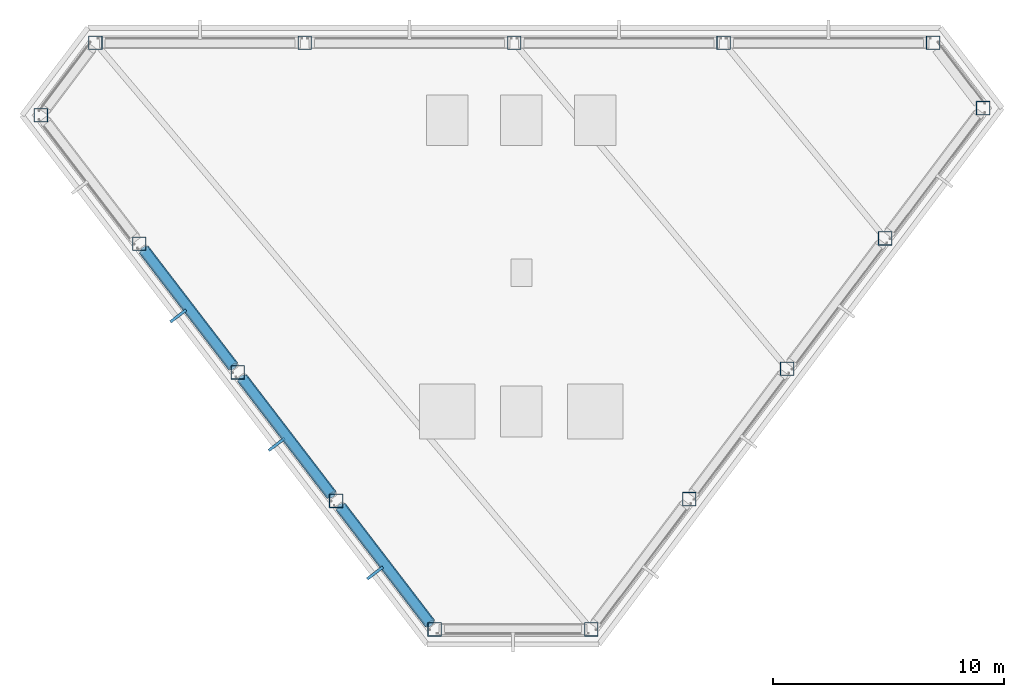
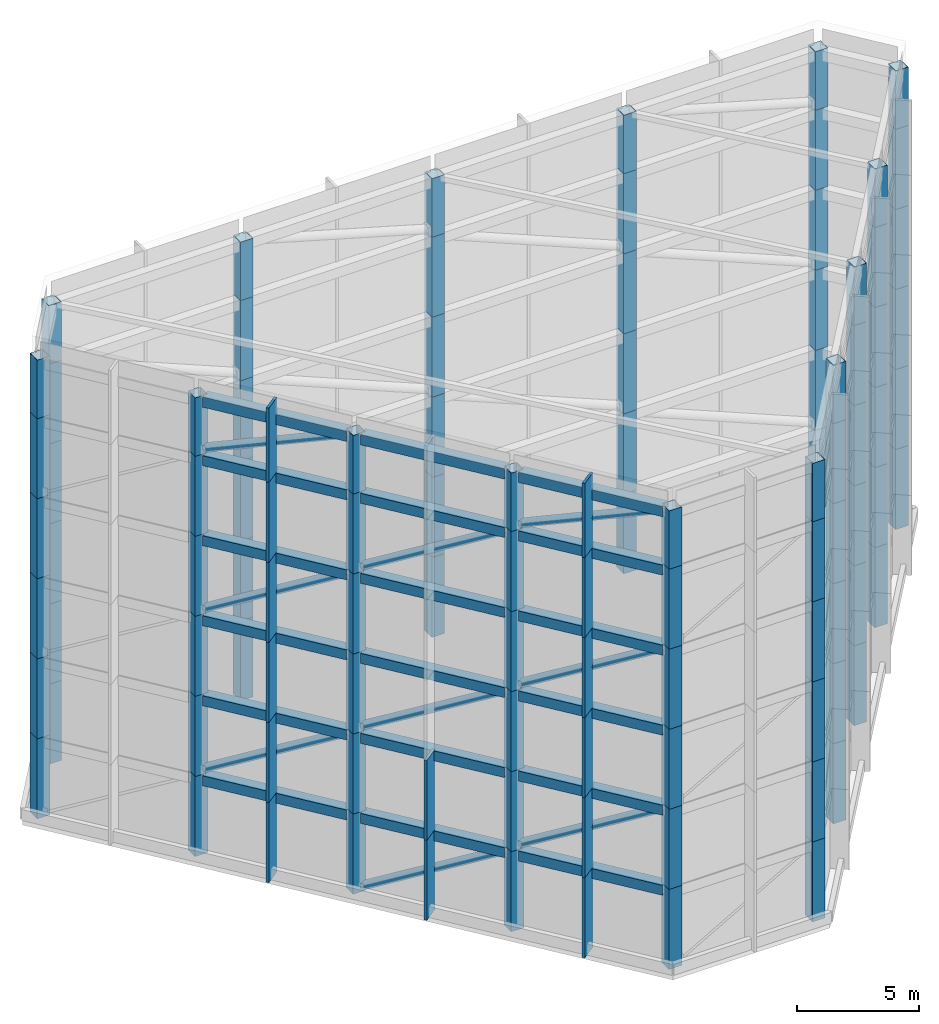
# One storey, part 1 of 6: 90 columns, 23 members, 18 beams, 1 element without a shape of its own.
"""IFC4 building model written with IfcOpenShell, lengths in metres."""

from ifc_helpers import new_model, si_unit, direction, frame, origin, origin_2d, place, context, subcontext, project, spatial, rectangle, hollow_rectangle, hollow_circle, extrude, material, layer, layer_set, material_profile, profile_set, type_object, element, aggregate, save


model = new_model("IFC4")

# Units and contexts
model_context = context("Model", 3, precision=1e-05, world=origin(), true_north=direction((0.0, 1.0)))
body_context = subcontext(model_context, "Body", "Model", "MODEL_VIEW")
ifc_project = project(units=[si_unit("LENGTHUNIT", "METRE"), si_unit("AREAUNIT", "SQUARE_METRE"), si_unit("VOLUMEUNIT", "CUBIC_METRE"), si_unit("PLANEANGLEUNIT", "RADIAN"), si_unit("MASSUNIT", "GRAM", prefix="KILO")], contexts=[model_context])

# Site, building, storey
site_placement = place(None, origin())
site = spatial("IfcSite", under=ifc_project, at=site_placement, CompositionType="ELEMENT")
building_placement = place(site_placement, origin())
building = spatial("IfcBuilding", under=site, at=building_placement, Name="Zarrinselat Tower", CompositionType="ELEMENT")
storey_placement = place(building_placement, frame((0.0, 0.0, 303.280029296875)))
storey = spatial("IfcBuildingStorey", under=building, at=storey_placement, Name="RF", CompositionType="ELEMENT", Elevation=303.280029296875)

# Columns
ifc_material_1 = material(Name="Steel S355J2", Category="steel")
ifc_material_profile_1 = material_profile(ifc_material_1, hollow_rectangle(XDim=0.60009765625, YDim=0.60009765625, WallThickness=0.030029296875, at=origin_2d()), Name="SHS 600x600x30")
ifc_profile_set_1 = profile_set([ifc_material_profile_1], Name="Steel S355J2")
column_type = type_object("IfcColumnType", Name="COL-CROWN-600", PredefinedType="COLUMN", material=ifc_profile_set_1)
for number, where, z_axis, x_axis, name in (
    (1, (56.2099609375, 46.75, 0.0), (0.0, 0.0, 1.0), (1.0, 0.0, 0.0), "RF CROWN FRAME Tier 1 Post P01"),
    (2, (47.150634765625, 46.75, 0.0), (0.0, 0.0, 1.0), (1.0, 0.0, 0.0), "RF CROWN FRAME Tier 1 Post P02"),
    (3, (38.09130859375, 46.75, 0.0), (0.0, 0.0, 1.0), (1.0, 0.0, 0.0), "RF CROWN FRAME Tier 1 Post P03"),
    (4, (29.031982421875, 46.75, 0.0), (0.0, 0.0, 1.0), (1.0, 0.0, 0.0), "RF CROWN FRAME Tier 1 Post P04"),
    (5, (19.97265625, 46.75, 0.0), (0.0, 0.0, 1.0), (1.0, 0.0, 0.0), "RF CROWN FRAME Tier 1 Post P05"),
    (6, (17.6162109375, 43.615234375, 0.0), (0.0, 0.0, 1.0), (1.0, 0.0, 0.0), "RF CROWN FRAME Tier 1 Post P06"),
    (7, (21.873291015625, 38.0546875, 0.0), (0.0, 0.0, 1.0), (1.0, 0.0, 0.0), "RF CROWN FRAME Tier 1 Post P07"),
    (8, (26.130615234375, 32.494384765625, 0.0), (0.0, 0.0, 1.0), (1.0, 0.0, 0.0), "RF CROWN FRAME Tier 1 Post P08"),
    (9, (30.3876953125, 26.933837890625, 0.0), (0.0, 0.0, 1.0), (1.0, 0.0, 0.0), "RF CROWN FRAME Tier 1 Post P09"),
    (10, (34.644775390625, 21.373291015625, 0.0), (0.0, 0.0, 1.0), (1.0, 0.0, 0.0), "RF CROWN FRAME Tier 1 Post P10"),
    (11, (41.423583984375, 21.373291015625, 0.0), (0.0, 0.0, 1.0), (1.0, 0.0, 0.0), "RF CROWN FRAME Tier 1 Post P11"),
    (12, (45.6611328125, 27.010986328125, 0.0), (0.0, 0.0, 1.0), (1.0, 0.0, 0.0), "RF CROWN FRAME Tier 1 Post P12"),
    (13, (49.898681640625, 32.6484375, 0.0), (0.0, 0.0, 1.0), (1.0, 0.0, 0.0), "RF CROWN FRAME Tier 1 Post P13"),
    (14, (54.13623046875, 38.2861328125, 0.0), (0.0, 0.0, 1.0), (1.0, 0.0, 0.0), "RF CROWN FRAME Tier 1 Post P14"),
    (15, (58.373779296875, 43.923583984375, 0.0), (0.0, 0.0, 1.0), (1.0, 0.0, 0.0), "RF CROWN FRAME Tier 1 Post P15"),
    (16, (56.2099609375, 46.75, 4.0), (0.0, 0.0, 1.0), (1.0, 0.0, 0.0), "RF CROWN FRAME Tier 2 Post P01"),
    (17, (47.150634765625, 46.75, 4.0), (0.0, 0.0, 1.0), (1.0, 0.0, 0.0), "RF CROWN FRAME Tier 2 Post P02"),
    (18, (38.09130859375, 46.75, 4.0), (0.0, 0.0, 1.0), (1.0, 0.0, 0.0), "RF CROWN FRAME Tier 2 Post P03"),
    (19, (29.031982421875, 46.75, 4.0), (0.0, 0.0, 1.0), (1.0, 0.0, 0.0), "RF CROWN FRAME Tier 2 Post P04"),
    (20, (19.97265625, 46.75, 4.0), (0.0, 0.0, 1.0), (1.0, 0.0, 0.0), "RF CROWN FRAME Tier 2 Post P05"),
    (21, (17.6162109375, 43.615234375, 4.0), (0.0, 0.0, 1.0), (1.0, 0.0, 0.0), "RF CROWN FRAME Tier 2 Post P06"),
    (22, (21.873291015625, 38.0546875, 4.0), (0.0, 0.0, 1.0), (1.0, 0.0, 0.0), "RF CROWN FRAME Tier 2 Post P07"),
    (23, (26.130615234375, 32.494384765625, 4.0), (0.0, 0.0, 1.0), (1.0, 0.0, 0.0), "RF CROWN FRAME Tier 2 Post P08"),
    (24, (30.3876953125, 26.933837890625, 4.0), (0.0, 0.0, 1.0), (1.0, 0.0, 0.0), "RF CROWN FRAME Tier 2 Post P09"),
    (25, (34.644775390625, 21.373291015625, 4.0), (0.0, 0.0, 1.0), (1.0, 0.0, 0.0), "RF CROWN FRAME Tier 2 Post P10"),
    (26, (41.423583984375, 21.373291015625, 4.0), (0.0, 0.0, 1.0), (1.0, 0.0, 0.0), "RF CROWN FRAME Tier 2 Post P11"),
    (27, (45.6611328125, 27.010986328125, 4.0), (0.0, 0.0, 1.0), (1.0, 0.0, 0.0), "RF CROWN FRAME Tier 2 Post P12"),
    (28, (49.898681640625, 32.6484375, 4.0), (0.0, 0.0, 1.0), (1.0, 0.0, 0.0), "RF CROWN FRAME Tier 2 Post P13"),
    (29, (54.13623046875, 38.2861328125, 4.0), (0.0, 0.0, 1.0), (1.0, 0.0, 0.0), "RF CROWN FRAME Tier 2 Post P14"),
    (30, (58.373779296875, 43.923583984375, 4.0), (0.0, 0.0, 1.0), (1.0, 0.0, 0.0), "RF CROWN FRAME Tier 2 Post P15"),
    (31, (56.2099609375, 46.75, 8.0), (0.0, 0.0, 1.0), (1.0, 0.0, 0.0), "RF CROWN FRAME Tier 3 Post P01"),
    (32, (47.150634765625, 46.75, 8.0), (0.0, 0.0, 1.0), (1.0, 0.0, 0.0), "RF CROWN FRAME Tier 3 Post P02"),
    (33, (38.09130859375, 46.75, 8.0), (0.0, 0.0, 1.0), (1.0, 0.0, 0.0), "RF CROWN FRAME Tier 3 Post P03"),
    (34, (29.031982421875, 46.75, 8.0), (0.0, 0.0, 1.0), (1.0, 0.0, 0.0), "RF CROWN FRAME Tier 3 Post P04"),
    (35, (19.97265625, 46.75, 8.0), (0.0, 0.0, 1.0), (1.0, 0.0, 0.0), "RF CROWN FRAME Tier 3 Post P05"),
    (36, (17.6162109375, 43.615234375, 8.0), (0.0, 0.0, 1.0), (1.0, 0.0, 0.0), "RF CROWN FRAME Tier 3 Post P06"),
    (37, (21.873291015625, 38.0546875, 8.0), (0.0, 0.0, 1.0), (1.0, 0.0, 0.0), "RF CROWN FRAME Tier 3 Post P07"),
    (38, (26.130615234375, 32.494384765625, 8.0), (0.0, 0.0, 1.0), (1.0, 0.0, 0.0), "RF CROWN FRAME Tier 3 Post P08"),
    (39, (30.3876953125, 26.933837890625, 8.0), (0.0, 0.0, 1.0), (1.0, 0.0, 0.0), "RF CROWN FRAME Tier 3 Post P09"),
    (40, (34.644775390625, 21.373291015625, 8.0), (0.0, 0.0, 1.0), (1.0, 0.0, 0.0), "RF CROWN FRAME Tier 3 Post P10"),
    (41, (41.423583984375, 21.373291015625, 8.0), (0.0, 0.0, 1.0), (1.0, 0.0, 0.0), "RF CROWN FRAME Tier 3 Post P11"),
    (42, (45.6611328125, 27.010986328125, 8.0), (0.0, 0.0, 1.0), (1.0, 0.0, 0.0), "RF CROWN FRAME Tier 3 Post P12"),
    (43, (49.898681640625, 32.6484375, 8.0), (0.0, 0.0, 1.0), (1.0, 0.0, 0.0), "RF CROWN FRAME Tier 3 Post P13"),
    (44, (54.13623046875, 38.2861328125, 8.0), (0.0, 0.0, 1.0), (1.0, 0.0, 0.0), "RF CROWN FRAME Tier 3 Post P14"),
    (45, (58.373779296875, 43.923583984375, 8.0), (0.0, 0.0, 1.0), (1.0, 0.0, 0.0), "RF CROWN FRAME Tier 3 Post P15"),
    (46, (56.2099609375, 46.75, 12.0), (0.0, 0.0, 1.0), (1.0, 0.0, 0.0), "RF CROWN FRAME Tier 4 Post P01"),
    (47, (47.150634765625, 46.75, 12.0), (0.0, 0.0, 1.0), (1.0, 0.0, 0.0), "RF CROWN FRAME Tier 4 Post P02"),
    (48, (38.09130859375, 46.75, 12.0), (0.0, 0.0, 1.0), (1.0, 0.0, 0.0), "RF CROWN FRAME Tier 4 Post P03"),
    (49, (29.031982421875, 46.75, 12.0), (0.0, 0.0, 1.0), (1.0, 0.0, 0.0), "RF CROWN FRAME Tier 4 Post P04"),
    (50, (19.97265625, 46.75, 12.0), (0.0, 0.0, 1.0), (1.0, 0.0, 0.0), "RF CROWN FRAME Tier 4 Post P05"),
    (51, (17.6162109375, 43.615234375, 12.0), (0.0, 0.0, 1.0), (1.0, 0.0, 0.0), "RF CROWN FRAME Tier 4 Post P06"),
    (52, (21.873291015625, 38.0546875, 12.0), (0.0, 0.0, 1.0), (1.0, 0.0, 0.0), "RF CROWN FRAME Tier 4 Post P07"),
    (53, (26.130615234375, 32.494384765625, 12.0), (0.0, 0.0, 1.0), (1.0, 0.0, 0.0), "RF CROWN FRAME Tier 4 Post P08"),
    (54, (30.3876953125, 26.933837890625, 12.0), (0.0, 0.0, 1.0), (1.0, 0.0, 0.0), "RF CROWN FRAME Tier 4 Post P09"),
    (55, (34.644775390625, 21.373291015625, 12.0), (0.0, 0.0, 1.0), (1.0, 0.0, 0.0), "RF CROWN FRAME Tier 4 Post P10"),
    (56, (41.423583984375, 21.373291015625, 12.0), (0.0, 0.0, 1.0), (1.0, 0.0, 0.0), "RF CROWN FRAME Tier 4 Post P11"),
    (57, (45.6611328125, 27.010986328125, 12.0), (0.0, 0.0, 1.0), (1.0, 0.0, 0.0), "RF CROWN FRAME Tier 4 Post P12"),
    (58, (49.898681640625, 32.6484375, 12.0), (0.0, 0.0, 1.0), (1.0, 0.0, 0.0), "RF CROWN FRAME Tier 4 Post P13"),
    (59, (54.13623046875, 38.2861328125, 12.0), (0.0, 0.0, 1.0), (1.0, 0.0, 0.0), "RF CROWN FRAME Tier 4 Post P14"),
    (60, (58.373779296875, 43.923583984375, 12.0), (0.0, 0.0, 1.0), (1.0, 0.0, 0.0), "RF CROWN FRAME Tier 4 Post P15"),
    (61, (56.2099609375, 46.75, 16.0), (0.0, 0.0, 1.0), (1.0, 0.0, 0.0), "RF CROWN FRAME Tier 5 Post P01"),
    (62, (47.150634765625, 46.75, 16.0), (0.0, 0.0, 1.0), (1.0, 0.0, 0.0), "RF CROWN FRAME Tier 5 Post P02"),
    (63, (38.09130859375, 46.75, 16.0), (0.0, 0.0, 1.0), (1.0, 0.0, 0.0), "RF CROWN FRAME Tier 5 Post P03"),
    (64, (29.031982421875, 46.75, 16.0), (0.0, 0.0, 1.0), (1.0, 0.0, 0.0), "RF CROWN FRAME Tier 5 Post P04"),
    (65, (19.97265625, 46.75, 16.0), (0.0, 0.0, 1.0), (1.0, 0.0, 0.0), "RF CROWN FRAME Tier 5 Post P05"),
    (66, (17.6162109375, 43.615234375, 16.0), (0.0, 0.0, 1.0), (1.0, 0.0, 0.0), "RF CROWN FRAME Tier 5 Post P06"),
    (67, (21.873291015625, 38.0546875, 16.0), (0.0, 0.0, 1.0), (1.0, 0.0, 0.0), "RF CROWN FRAME Tier 5 Post P07"),
    (68, (26.130615234375, 32.494384765625, 16.0), (0.0, 0.0, 1.0), (1.0, 0.0, 0.0), "RF CROWN FRAME Tier 5 Post P08"),
    (69, (30.3876953125, 26.933837890625, 16.0), (0.0, 0.0, 1.0), (1.0, 0.0, 0.0), "RF CROWN FRAME Tier 5 Post P09"),
    (70, (34.644775390625, 21.373291015625, 16.0), (0.0, 0.0, 1.0), (1.0, 0.0, 0.0), "RF CROWN FRAME Tier 5 Post P10"),
    (71, (41.423583984375, 21.373291015625, 16.0), (0.0, 0.0, 1.0), (1.0, 0.0, 0.0), "RF CROWN FRAME Tier 5 Post P11"),
    (72, (45.6611328125, 27.010986328125, 16.0), (0.0, 0.0, 1.0), (1.0, 0.0, 0.0), "RF CROWN FRAME Tier 5 Post P12"),
    (73, (49.898681640625, 32.6484375, 16.0), (0.0, 0.0, 1.0), (1.0, 0.0, 0.0), "RF CROWN FRAME Tier 5 Post P13"),
    (74, (54.13623046875, 38.2861328125, 16.0), (0.0, 0.0, 1.0), (1.0, 0.0, 0.0), "RF CROWN FRAME Tier 5 Post P14"),
    (75, (58.373779296875, 43.923583984375, 16.0), (0.0, 0.0, 1.0), (1.0, 0.0, 0.0), "RF CROWN FRAME Tier 5 Post P15"),
):
    element("IfcColumn", number, at=place(storey_placement, frame(where, z_axis=z_axis, x_axis=x_axis)), inside=storey, type_object=column_type, Name=name, PredefinedType="COLUMN", context=body_context, shape_type="SweptSolid", body=[
        extrude(hollow_rectangle(XDim=0.60009765625, YDim=0.60009765625, WallThickness=0.030029296875, at=origin_2d()), origin(), (0.0, 0.0, 1.0), 4.0),
    ])
for number, where, z_axis, x_axis, name in (
    (76, (56.2099609375, 46.75, 20.0), (0.0, 0.0, 1.0), (1.0, 0.0, 0.0), "RF CROWN FRAME Tier 6 Post P01"),
    (77, (47.150634765625, 46.75, 20.0), (0.0, 0.0, 1.0), (1.0, 0.0, 0.0), "RF CROWN FRAME Tier 6 Post P02"),
    (78, (38.09130859375, 46.75, 20.0), (0.0, 0.0, 1.0), (1.0, 0.0, 0.0), "RF CROWN FRAME Tier 6 Post P03"),
    (79, (29.031982421875, 46.75, 20.0), (0.0, 0.0, 1.0), (1.0, 0.0, 0.0), "RF CROWN FRAME Tier 6 Post P04"),
    (80, (19.97265625, 46.75, 20.0), (0.0, 0.0, 1.0), (1.0, 0.0, 0.0), "RF CROWN FRAME Tier 6 Post P05"),
    (81, (17.6162109375, 43.615234375, 20.0), (0.0, 0.0, 1.0), (1.0, 0.0, 0.0), "RF CROWN FRAME Tier 6 Post P06"),
    (82, (21.873291015625, 38.0546875, 20.0), (0.0, 0.0, 1.0), (1.0, 0.0, 0.0), "RF CROWN FRAME Tier 6 Post P07"),
    (83, (26.130615234375, 32.494384765625, 20.0), (0.0, 0.0, 1.0), (1.0, 0.0, 0.0), "RF CROWN FRAME Tier 6 Post P08"),
    (84, (30.3876953125, 26.933837890625, 20.0), (0.0, 0.0, 1.0), (1.0, 0.0, 0.0), "RF CROWN FRAME Tier 6 Post P09"),
    (85, (34.644775390625, 21.373291015625, 20.0), (0.0, 0.0, 1.0), (1.0, 0.0, 0.0), "RF CROWN FRAME Tier 6 Post P10"),
    (86, (41.423583984375, 21.373291015625, 20.0), (0.0, 0.0, 1.0), (1.0, 0.0, 0.0), "RF CROWN FRAME Tier 6 Post P11"),
    (87, (45.6611328125, 27.010986328125, 20.0), (0.0, 0.0, 1.0), (1.0, 0.0, 0.0), "RF CROWN FRAME Tier 6 Post P12"),
    (88, (49.898681640625, 32.6484375, 20.0), (0.0, 0.0, 1.0), (1.0, 0.0, 0.0), "RF CROWN FRAME Tier 6 Post P13"),
    (89, (54.13623046875, 38.2861328125, 20.0), (0.0, 0.0, 1.0), (1.0, 0.0, 0.0), "RF CROWN FRAME Tier 6 Post P14"),
    (90, (58.373779296875, 43.923583984375, 20.0), (0.0, 0.0, 1.0), (1.0, 0.0, 0.0), "RF CROWN FRAME Tier 6 Post P15"),
):
    element("IfcColumn", number, at=place(storey_placement, frame(where, z_axis=z_axis, x_axis=x_axis)), inside=storey, type_object=column_type, Name=name, PredefinedType="COLUMN", context=body_context, shape_type="SweptSolid", body=[
        extrude(hollow_rectangle(XDim=0.60009765625, YDim=0.60009765625, WallThickness=0.030029296875, at=origin_2d()), origin(), (0.0, 0.0, 1.0), 2.919921875),
    ])

# Beams
ifc_material_2 = material(Name="Steel S355J2", Category="steel")
ifc_material_profile_2 = material_profile(ifc_material_2, hollow_rectangle(XDim=0.5, YDim=0.5, WallThickness=0.02490234375, at=origin_2d()), Name="SHS 500x500x25")
ifc_profile_set_2 = profile_set([ifc_material_profile_2], Name="Steel S355J2")
beam_type = type_object("IfcBeamType", Name="BM-CROWN-RING", PredefinedType="BEAM", material=ifc_profile_set_2)
beam_1_placement = place(storey_placement, frame((22.06298828125, 37.806884765625, 3.75), z_axis=(0.607918796902, -0.793999204265, 0.0), x_axis=(0.793999204265, 0.607918796902, 0.0)))
element("IfcBeam", 91, at=beam_1_placement, inside=storey, type_object=beam_type, Name="RF CROWN FRAME Tier 1 Ring Beam R07", PredefinedType="BEAM", context=body_context, shape_type="SweptSolid", body=[
    extrude(hollow_rectangle(XDim=0.5, YDim=0.5, WallThickness=0.02490234375, at=origin_2d()), origin(), (0.0, 0.0, 1.0), 6.37890625),
])
beam_2_placement = place(storey_placement, frame((26.3203125, 32.24658203125, 3.75), z_axis=(0.607876194489, -0.79403182063, 0.0), x_axis=(0.79403182063, 0.607876194489, 0.0)))
element("IfcBeam", 92, at=beam_2_placement, inside=storey, type_object=beam_type, Name="RF CROWN FRAME Tier 1 Ring Beam R08", PredefinedType="BEAM", context=body_context, shape_type="SweptSolid", body=[
    extrude(hollow_rectangle(XDim=0.5, YDim=0.5, WallThickness=0.02490234375, at=origin_2d()), origin(), (0.0, 0.0, 1.0), 6.379150390625),
])
for number, where, z_axis, x_axis, name in (
    (93, (30.577392578125, 26.68603515625, 3.75), (0.60789466781, -0.794017677919, 0.0), (0.794017677919, 0.60789466781, 0.0), "RF CROWN FRAME Tier 1 Ring Beam R09"),
    (94, (22.06298828125, 37.806884765625, 7.75), (0.607918796902, -0.793999204265, 0.0), (0.793999204265, 0.607918796902, 0.0), "RF CROWN FRAME Tier 2 Ring Beam R07"),
):
    element("IfcBeam", number, at=place(storey_placement, frame(where, z_axis=z_axis, x_axis=x_axis)), inside=storey, type_object=beam_type, Name=name, PredefinedType="BEAM", context=body_context, shape_type="SweptSolid", body=[
        extrude(hollow_rectangle(XDim=0.5, YDim=0.5, WallThickness=0.02490234375, at=origin_2d()), origin(), (0.0, 0.0, 1.0), 6.37890625),
    ])
beam_3_placement = place(storey_placement, frame((26.3203125, 32.24658203125, 7.75), z_axis=(0.607876194489, -0.79403182063, 0.0), x_axis=(0.79403182063, 0.607876194489, 0.0)))
element("IfcBeam", 95, at=beam_3_placement, inside=storey, type_object=beam_type, Name="RF CROWN FRAME Tier 2 Ring Beam R08", PredefinedType="BEAM", context=body_context, shape_type="SweptSolid", body=[
    extrude(hollow_rectangle(XDim=0.5, YDim=0.5, WallThickness=0.02490234375, at=origin_2d()), origin(), (0.0, 0.0, 1.0), 6.379150390625),
])
for number, where, z_axis, x_axis, name in (
    (96, (30.577392578125, 26.68603515625, 7.75), (0.60789466781, -0.794017677919, 0.0), (0.794017677919, 0.60789466781, 0.0), "RF CROWN FRAME Tier 2 Ring Beam R09"),
    (97, (22.06298828125, 37.806884765625, 11.75), (0.607918796902, -0.793999204265, 0.0), (0.793999204265, 0.607918796902, 0.0), "RF CROWN FRAME Tier 3 Ring Beam R07"),
):
    element("IfcBeam", number, at=place(storey_placement, frame(where, z_axis=z_axis, x_axis=x_axis)), inside=storey, type_object=beam_type, Name=name, PredefinedType="BEAM", context=body_context, shape_type="SweptSolid", body=[
        extrude(hollow_rectangle(XDim=0.5, YDim=0.5, WallThickness=0.02490234375, at=origin_2d()), origin(), (0.0, 0.0, 1.0), 6.37890625),
    ])
beam_4_placement = place(storey_placement, frame((26.3203125, 32.24658203125, 11.75), z_axis=(0.607876194489, -0.79403182063, 0.0), x_axis=(0.79403182063, 0.607876194489, 0.0)))
element("IfcBeam", 98, at=beam_4_placement, inside=storey, type_object=beam_type, Name="RF CROWN FRAME Tier 3 Ring Beam R08", PredefinedType="BEAM", context=body_context, shape_type="SweptSolid", body=[
    extrude(hollow_rectangle(XDim=0.5, YDim=0.5, WallThickness=0.02490234375, at=origin_2d()), origin(), (0.0, 0.0, 1.0), 6.379150390625),
])
for number, where, z_axis, x_axis, name in (
    (99, (30.577392578125, 26.68603515625, 11.75), (0.60789466781, -0.794017677919, 0.0), (0.794017677919, 0.60789466781, 0.0), "RF CROWN FRAME Tier 3 Ring Beam R09"),
    (100, (22.06298828125, 37.806884765625, 15.75), (0.607918796902, -0.793999204265, 0.0), (0.793999204265, 0.607918796902, 0.0), "RF CROWN FRAME Tier 4 Ring Beam R07"),
):
    element("IfcBeam", number, at=place(storey_placement, frame(where, z_axis=z_axis, x_axis=x_axis)), inside=storey, type_object=beam_type, Name=name, PredefinedType="BEAM", context=body_context, shape_type="SweptSolid", body=[
        extrude(hollow_rectangle(XDim=0.5, YDim=0.5, WallThickness=0.02490234375, at=origin_2d()), origin(), (0.0, 0.0, 1.0), 6.37890625),
    ])
beam_5_placement = place(storey_placement, frame((26.3203125, 32.24658203125, 15.75), z_axis=(0.607876194489, -0.79403182063, 0.0), x_axis=(0.79403182063, 0.607876194489, 0.0)))
element("IfcBeam", 101, at=beam_5_placement, inside=storey, type_object=beam_type, Name="RF CROWN FRAME Tier 4 Ring Beam R08", PredefinedType="BEAM", context=body_context, shape_type="SweptSolid", body=[
    extrude(hollow_rectangle(XDim=0.5, YDim=0.5, WallThickness=0.02490234375, at=origin_2d()), origin(), (0.0, 0.0, 1.0), 6.379150390625),
])
for number, where, z_axis, x_axis, name in (
    (102, (30.577392578125, 26.68603515625, 15.75), (0.60789466781, -0.794017677919, 0.0), (0.794017677919, 0.60789466781, 0.0), "RF CROWN FRAME Tier 4 Ring Beam R09"),
    (103, (22.06298828125, 37.806884765625, 19.75), (0.607918796902, -0.793999204265, 0.0), (0.793999204265, 0.607918796902, 0.0), "RF CROWN FRAME Tier 5 Ring Beam R07"),
):
    element("IfcBeam", number, at=place(storey_placement, frame(where, z_axis=z_axis, x_axis=x_axis)), inside=storey, type_object=beam_type, Name=name, PredefinedType="BEAM", context=body_context, shape_type="SweptSolid", body=[
        extrude(hollow_rectangle(XDim=0.5, YDim=0.5, WallThickness=0.02490234375, at=origin_2d()), origin(), (0.0, 0.0, 1.0), 6.37890625),
    ])
beam_6_placement = place(storey_placement, frame((26.3203125, 32.24658203125, 19.75), z_axis=(0.607876194489, -0.79403182063, 0.0), x_axis=(0.79403182063, 0.607876194489, 0.0)))
element("IfcBeam", 104, at=beam_6_placement, inside=storey, type_object=beam_type, Name="RF CROWN FRAME Tier 5 Ring Beam R08", PredefinedType="BEAM", context=body_context, shape_type="SweptSolid", body=[
    extrude(hollow_rectangle(XDim=0.5, YDim=0.5, WallThickness=0.02490234375, at=origin_2d()), origin(), (0.0, 0.0, 1.0), 6.379150390625),
])
for number, where, z_axis, x_axis, name in (
    (105, (30.577392578125, 26.68603515625, 19.75), (0.60789466781, -0.794017677919, 0.0), (0.794017677919, 0.60789466781, 0.0), "RF CROWN FRAME Tier 5 Ring Beam R09"),
    (106, (22.06298828125, 37.806884765625, 22.669921875), (0.607918796902, -0.793999204265, 0.0), (0.793999204265, 0.607918796902, 0.0), "RF CROWN FRAME Tier 6 Ring Beam R07"),
):
    element("IfcBeam", number, at=place(storey_placement, frame(where, z_axis=z_axis, x_axis=x_axis)), inside=storey, type_object=beam_type, Name=name, PredefinedType="BEAM", context=body_context, shape_type="SweptSolid", body=[
        extrude(hollow_rectangle(XDim=0.5, YDim=0.5, WallThickness=0.02490234375, at=origin_2d()), origin(), (0.0, 0.0, 1.0), 6.37890625),
    ])
beam_7_placement = place(storey_placement, frame((26.3203125, 32.24658203125, 22.669921875), z_axis=(0.607876194489, -0.79403182063, 0.0), x_axis=(0.79403182063, 0.607876194489, 0.0)))
element("IfcBeam", 107, at=beam_7_placement, inside=storey, type_object=beam_type, Name="RF CROWN FRAME Tier 6 Ring Beam R08", PredefinedType="BEAM", context=body_context, shape_type="SweptSolid", body=[
    extrude(hollow_rectangle(XDim=0.5, YDim=0.5, WallThickness=0.02490234375, at=origin_2d()), origin(), (0.0, 0.0, 1.0), 6.379150390625),
])
beam_8_placement = place(storey_placement, frame((30.577392578125, 26.68603515625, 22.669921875), z_axis=(0.60789466781, -0.794017677919, 0.0), x_axis=(0.794017677919, 0.60789466781, 0.0)))
element("IfcBeam", 108, at=beam_8_placement, inside=storey, type_object=beam_type, Name="RF CROWN FRAME Tier 6 Ring Beam R09", PredefinedType="BEAM", context=body_context, shape_type="SweptSolid", body=[
    extrude(hollow_rectangle(XDim=0.5, YDim=0.5, WallThickness=0.02490234375, at=origin_2d()), origin(), (0.0, 0.0, 1.0), 6.37890625),
])

# Members
ifc_material_3 = material(Name="Steel S355J2", Category="steel")
ifc_material_profile_3 = material_profile(ifc_material_3, hollow_circle(Radius=0.203125, WallThickness=0.01611328125, at=origin_2d()), Name="CHS 406.4x16")
ifc_profile_set_3 = profile_set([ifc_material_profile_3], Name="Steel S355J2")
member_type_1 = type_object("IfcMemberType", Name="MEM-CROWN-BRACE", PredefinedType="BRACE", material=ifc_profile_set_3)
for number, where, z_axis, x_axis, name in (
    (109, (26.3203125, 32.24658203125, 0.25), (0.532929990731, -0.696134138242, 0.481022750558), (0.79403182063, 0.607876194489, 0.0), "RF CROWN FRAME Tier 1 Diagonal Brace B08"),
    (110, (22.06298828125, 37.806884765625, 4.25), (0.532966462183, -0.696104395899, 0.481025384151), (0.793999204265, 0.607918796902, 0.0), "RF CROWN FRAME Tier 2 Diagonal Brace B07"),
):
    element("IfcMember", number, at=place(storey_placement, frame(where, z_axis=z_axis, x_axis=x_axis)), inside=storey, type_object=member_type_1, Name=name, PredefinedType="BRACE", context=body_context, shape_type="SweptSolid", body=[
        extrude(hollow_circle(Radius=0.203125, WallThickness=0.01611328125, at=origin_2d()), origin(), (0.0, 0.0, 1.0), 7.276123046875),
    ])
member_1_placement = place(storey_placement, frame((30.577392578125, 26.68603515625, 4.25), z_axis=(0.532942438899, -0.696116844262, 0.481033986279), x_axis=(0.794017677919, 0.60789466781, 0.0)))
element("IfcMember", 111, at=member_1_placement, inside=storey, type_object=member_type_1, Name="RF CROWN FRAME Tier 2 Diagonal Brace B09", PredefinedType="BRACE", context=body_context, shape_type="SweptSolid", body=[
    extrude(hollow_circle(Radius=0.203125, WallThickness=0.01611328125, at=origin_2d()), origin(), (0.0, 0.0, 1.0), 7.27587890625),
])
for number, where, z_axis, x_axis, name in (
    (112, (26.3203125, 32.24658203125, 8.25), (0.532929990731, -0.696134138242, 0.481022750558), (0.79403182063, 0.607876194489, 0.0), "RF CROWN FRAME Tier 3 Diagonal Brace B08"),
    (113, (22.06298828125, 37.806884765625, 12.25), (0.532966462183, -0.696104395899, 0.481025384151), (0.793999204265, 0.607918796902, 0.0), "RF CROWN FRAME Tier 4 Diagonal Brace B07"),
):
    element("IfcMember", number, at=place(storey_placement, frame(where, z_axis=z_axis, x_axis=x_axis)), inside=storey, type_object=member_type_1, Name=name, PredefinedType="BRACE", context=body_context, shape_type="SweptSolid", body=[
        extrude(hollow_circle(Radius=0.203125, WallThickness=0.01611328125, at=origin_2d()), origin(), (0.0, 0.0, 1.0), 7.276123046875),
    ])
member_2_placement = place(storey_placement, frame((30.577392578125, 26.68603515625, 12.25), z_axis=(0.532942438899, -0.696116844262, 0.481033986279), x_axis=(0.794017677919, 0.60789466781, 0.0)))
element("IfcMember", 114, at=member_2_placement, inside=storey, type_object=member_type_1, Name="RF CROWN FRAME Tier 4 Diagonal Brace B09", PredefinedType="BRACE", context=body_context, shape_type="SweptSolid", body=[
    extrude(hollow_circle(Radius=0.203125, WallThickness=0.01611328125, at=origin_2d()), origin(), (0.0, 0.0, 1.0), 7.27587890625),
])
member_3_placement = place(storey_placement, frame((26.3203125, 32.24658203125, 16.25), z_axis=(0.532929990731, -0.696134138242, 0.481022750558), x_axis=(0.79403182063, 0.607876194489, 0.0)))
element("IfcMember", 115, at=member_3_placement, inside=storey, type_object=member_type_1, Name="RF CROWN FRAME Tier 5 Diagonal Brace B08", PredefinedType="BRACE", context=body_context, shape_type="SweptSolid", body=[
    extrude(hollow_circle(Radius=0.203125, WallThickness=0.01611328125, at=origin_2d()), origin(), (0.0, 0.0, 1.0), 7.276123046875),
])
for number, where, z_axis, x_axis, name in (
    (116, (22.06298828125, 37.806884765625, 20.25), (0.568393960894, -0.742376045877, 0.354691572676), (0.793999204265, 0.607918796902, 0.0), "RF CROWN FRAME Tier 6 Diagonal Brace B07"),
    (117, (30.577392578125, 26.68603515625, 20.25), (0.568369736914, -0.742391145377, 0.354698786897), (0.794017677919, 0.60789466781, 0.0), "RF CROWN FRAME Tier 6 Diagonal Brace B09"),
):
    element("IfcMember", number, at=place(storey_placement, frame(where, z_axis=z_axis, x_axis=x_axis)), inside=storey, type_object=member_type_1, Name=name, PredefinedType="BRACE", context=body_context, shape_type="SweptSolid", body=[
        extrude(hollow_circle(Radius=0.203125, WallThickness=0.01611328125, at=origin_2d()), origin(), (0.0, 0.0, 1.0), 6.822509765625),
    ])

# Curtain wall, members
ifc_material_4 = material(Name="Extruded Aluminium Alloy EN AW-6063 T6", Category="aluminium")
ifc_layer = layer(ifc_material_4, 0.199951171875)
ifc_layer_set = layer_set([ifc_layer], Name="Extruded Aluminium Alloy EN AW-6063 T6")
curtain_wall_type = type_object("IfcCurtainWallType", Name="CWS-BLADE", PredefinedType="NOTDEFINED", material=ifc_layer_set)
curtain_wall_placement = place(storey_placement, origin())
curtain_wall = element("IfcCurtainWall", 118, at=curtain_wall_placement, inside=storey, type_object=curtain_wall_type, Name="RF Crown Fin Assembly", PredefinedType="NOTDEFINED")
ifc_material_5 = material(Name="Honed Cream Travertine Stone", Category="masonry")
ifc_material_profile_4 = material_profile(ifc_material_5, rectangle(XDim=0.1201171875, YDim=0.85009765625, at=origin_2d()), Name="FIN 850x120")
ifc_profile_set_4 = profile_set([ifc_material_profile_4], Name="Honed Cream Travertine Stone")
member_type_2 = type_object("IfcMemberType", Name="MEM-STONE-FIN", PredefinedType="USERDEFINED", material=ifc_profile_set_4)
member_4_placement = place(storey_placement, frame((23.557373046875, 34.93408203125, 0.0), z_axis=(0.0, 0.0, 1.0), x_axis=(-0.607903188082, 0.794011154783, 0.0)))
member_4 = element("IfcMember", 119, at=member_4_placement, type_object=member_type_2, Name="RF CROWN FIN Stone Blade T1-B07", ObjectType="FIN", PredefinedType="USERDEFINED", context=body_context, shape_type="SweptSolid", body=[
    extrude(rectangle(XDim=0.1201171875, YDim=0.85009765625, at=origin_2d()), origin(), (0.0, 0.0, 1.0), 4.0),
])
member_5_placement = place(storey_placement, frame((27.814453125, 29.37353515625, 0.0), z_axis=(0.0, 0.0, 1.0), x_axis=(-0.607896295562, 0.79401643172, 0.0)))
member_5 = element("IfcMember", 120, at=member_5_placement, type_object=member_type_2, Name="RF CROWN FIN Stone Blade T1-B08", ObjectType="FIN", PredefinedType="USERDEFINED", context=body_context, shape_type="SweptSolid", body=[
    extrude(rectangle(XDim=0.1201171875, YDim=0.85009765625, at=origin_2d()), origin(), (0.0, 0.0, 1.0), 4.0),
])
member_6_placement = place(storey_placement, frame((32.071533203125, 23.81298828125, 0.0), z_axis=(0.0, 0.0, 1.0), x_axis=(-0.607896295562, 0.79401643172, 0.0)))
member_6 = element("IfcMember", 121, at=member_6_placement, type_object=member_type_2, Name="RF CROWN FIN Stone Blade T1-B09", ObjectType="FIN", PredefinedType="USERDEFINED", context=body_context, shape_type="SweptSolid", body=[
    extrude(rectangle(XDim=0.1201171875, YDim=0.85009765625, at=origin_2d()), origin(), (0.0, 0.0, 1.0), 4.0),
])
member_7_placement = place(storey_placement, frame((23.557373046875, 34.93408203125, 4.0), z_axis=(0.0, 0.0, 1.0), x_axis=(-0.607903188082, 0.794011154783, 0.0)))
member_7 = element("IfcMember", 122, at=member_7_placement, type_object=member_type_2, Name="RF CROWN FIN Stone Blade T2-B07", ObjectType="FIN", PredefinedType="USERDEFINED", context=body_context, shape_type="SweptSolid", body=[
    extrude(rectangle(XDim=0.1201171875, YDim=0.85009765625, at=origin_2d()), origin(), (0.0, 0.0, 1.0), 4.0),
])
member_8_placement = place(storey_placement, frame((27.814453125, 29.37353515625, 4.0), z_axis=(0.0, 0.0, 1.0), x_axis=(-0.607896295562, 0.79401643172, 0.0)))
member_8 = element("IfcMember", 123, at=member_8_placement, type_object=member_type_2, Name="RF CROWN FIN Stone Blade T2-B08", ObjectType="FIN", PredefinedType="USERDEFINED", context=body_context, shape_type="SweptSolid", body=[
    extrude(rectangle(XDim=0.1201171875, YDim=0.85009765625, at=origin_2d()), origin(), (0.0, 0.0, 1.0), 4.0),
])
member_9_placement = place(storey_placement, frame((32.071533203125, 23.81298828125, 4.0), z_axis=(0.0, 0.0, 1.0), x_axis=(-0.607896295562, 0.79401643172, 0.0)))
member_9 = element("IfcMember", 124, at=member_9_placement, type_object=member_type_2, Name="RF CROWN FIN Stone Blade T2-B09", ObjectType="FIN", PredefinedType="USERDEFINED", context=body_context, shape_type="SweptSolid", body=[
    extrude(rectangle(XDim=0.1201171875, YDim=0.85009765625, at=origin_2d()), origin(), (0.0, 0.0, 1.0), 4.0),
])
member_10_placement = place(storey_placement, frame((23.557373046875, 34.93408203125, 8.0), z_axis=(0.0, 0.0, 1.0), x_axis=(-0.607903188082, 0.794011154783, 0.0)))
member_10 = element("IfcMember", 125, at=member_10_placement, type_object=member_type_2, Name="RF CROWN FIN Stone Blade T3-B07", ObjectType="FIN", PredefinedType="USERDEFINED", context=body_context, shape_type="SweptSolid", body=[
    extrude(rectangle(XDim=0.1201171875, YDim=0.85009765625, at=origin_2d()), origin(), (0.0, 0.0, 1.0), 4.0),
])
member_11_placement = place(storey_placement, frame((32.071533203125, 23.81298828125, 8.0), z_axis=(0.0, 0.0, 1.0), x_axis=(-0.607896295562, 0.79401643172, 0.0)))
member_11 = element("IfcMember", 126, at=member_11_placement, type_object=member_type_2, Name="RF CROWN FIN Stone Blade T3-B09", ObjectType="FIN", PredefinedType="USERDEFINED", context=body_context, shape_type="SweptSolid", body=[
    extrude(rectangle(XDim=0.1201171875, YDim=0.85009765625, at=origin_2d()), origin(), (0.0, 0.0, 1.0), 4.0),
])
member_12_placement = place(storey_placement, frame((23.557373046875, 34.93408203125, 12.0), z_axis=(0.0, 0.0, 1.0), x_axis=(-0.607903188082, 0.794011154783, 0.0)))
member_12 = element("IfcMember", 127, at=member_12_placement, type_object=member_type_2, Name="RF CROWN FIN Stone Blade T4-B07", ObjectType="FIN", PredefinedType="USERDEFINED", context=body_context, shape_type="SweptSolid", body=[
    extrude(rectangle(XDim=0.1201171875, YDim=0.85009765625, at=origin_2d()), origin(), (0.0, 0.0, 1.0), 4.0),
])
member_13_placement = place(storey_placement, frame((32.071533203125, 23.81298828125, 12.0), z_axis=(0.0, 0.0, 1.0), x_axis=(-0.607896295562, 0.79401643172, 0.0)))
member_13 = element("IfcMember", 128, at=member_13_placement, type_object=member_type_2, Name="RF CROWN FIN Stone Blade T4-B09", ObjectType="FIN", PredefinedType="USERDEFINED", context=body_context, shape_type="SweptSolid", body=[
    extrude(rectangle(XDim=0.1201171875, YDim=0.85009765625, at=origin_2d()), origin(), (0.0, 0.0, 1.0), 4.0),
])
member_14_placement = place(storey_placement, frame((23.557373046875, 34.93408203125, 16.0), z_axis=(0.0, 0.0, 1.0), x_axis=(-0.607903188082, 0.794011154783, 0.0)))
member_14 = element("IfcMember", 129, at=member_14_placement, type_object=member_type_2, Name="RF CROWN FIN Stone Blade T5-B07", ObjectType="FIN", PredefinedType="USERDEFINED", context=body_context, shape_type="SweptSolid", body=[
    extrude(rectangle(XDim=0.1201171875, YDim=0.85009765625, at=origin_2d()), origin(), (0.0, 0.0, 1.0), 4.0),
])
member_15_placement = place(storey_placement, frame((32.071533203125, 23.81298828125, 16.0), z_axis=(0.0, 0.0, 1.0), x_axis=(-0.607896295562, 0.79401643172, 0.0)))
member_15 = element("IfcMember", 130, at=member_15_placement, type_object=member_type_2, Name="RF CROWN FIN Stone Blade T5-B09", ObjectType="FIN", PredefinedType="USERDEFINED", context=body_context, shape_type="SweptSolid", body=[
    extrude(rectangle(XDim=0.1201171875, YDim=0.85009765625, at=origin_2d()), origin(), (0.0, 0.0, 1.0), 4.0),
])
member_16_placement = place(storey_placement, frame((23.557373046875, 34.93408203125, 20.0), z_axis=(0.0, 0.0, 1.0), x_axis=(-0.607903188082, 0.794011154783, 0.0)))
member_16 = element("IfcMember", 131, at=member_16_placement, type_object=member_type_2, Name="RF CROWN FIN Stone Blade T6-B07", ObjectType="FIN", PredefinedType="USERDEFINED", context=body_context, shape_type="SweptSolid", body=[
    extrude(rectangle(XDim=0.1201171875, YDim=0.85009765625, at=origin_2d()), origin(), (0.0, 0.0, 1.0), 3.719970703125),
])
member_17_placement = place(storey_placement, frame((32.071533203125, 23.81298828125, 20.0), z_axis=(0.0, 0.0, 1.0), x_axis=(-0.607896295562, 0.79401643172, 0.0)))
member_17 = element("IfcMember", 132, at=member_17_placement, type_object=member_type_2, Name="RF CROWN FIN Stone Blade T6-B09", ObjectType="FIN", PredefinedType="USERDEFINED", context=body_context, shape_type="SweptSolid", body=[
    extrude(rectangle(XDim=0.1201171875, YDim=0.85009765625, at=origin_2d()), origin(), (0.0, 0.0, 1.0), 3.719970703125),
])
aggregate(curtain_wall, [member_4, member_5, member_6, member_7, member_8, member_9, member_10, member_11, member_12, member_13, member_14, member_15, member_16, member_17])

save(model, "model.ifc")
